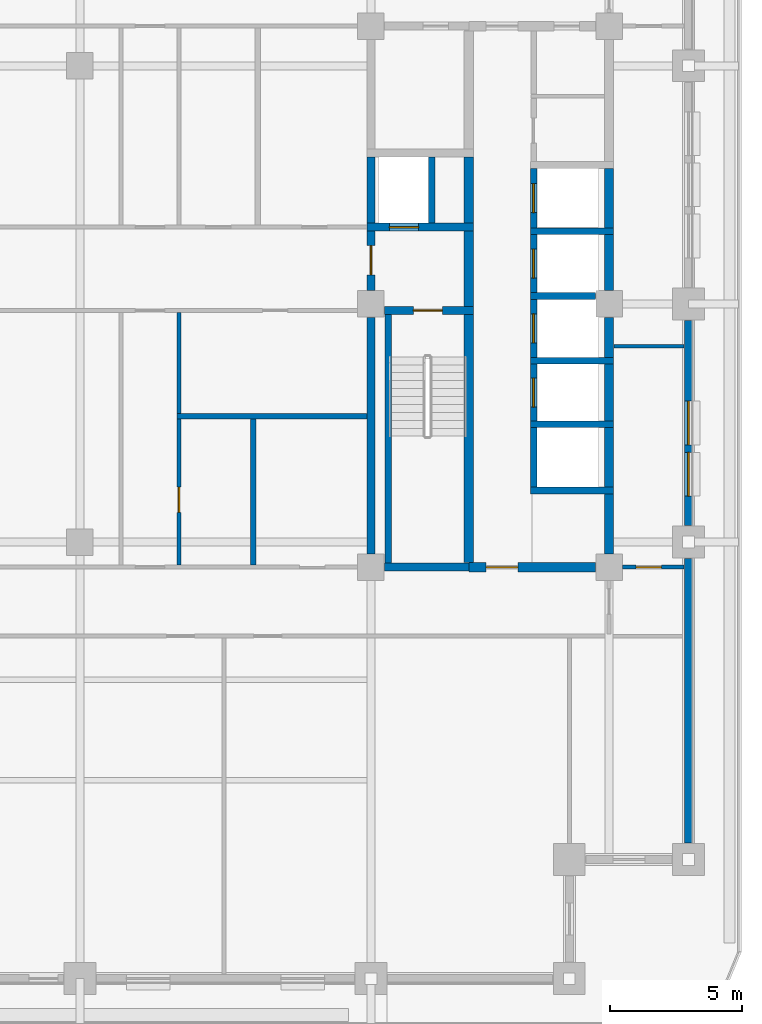
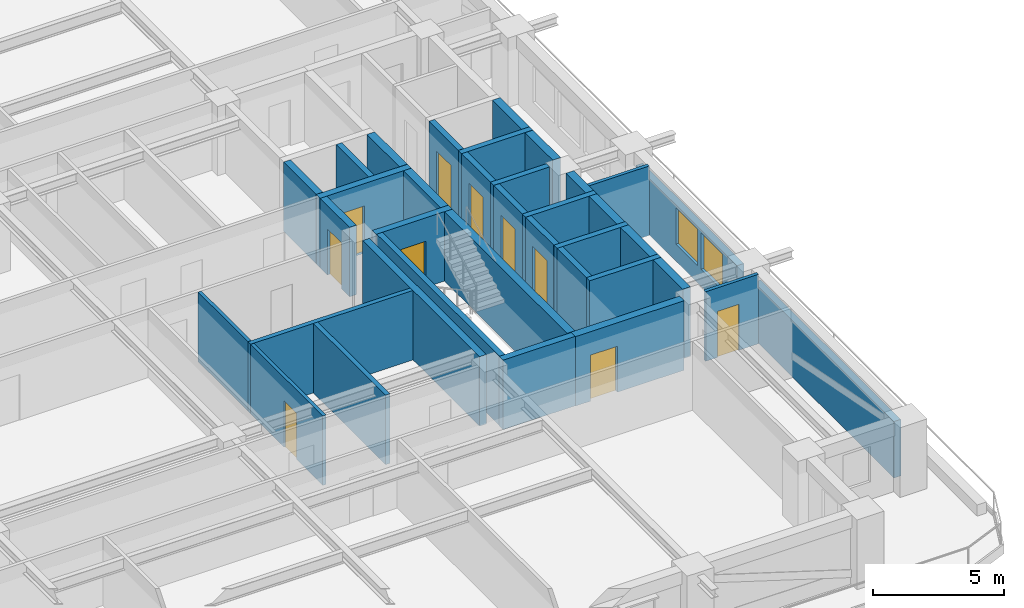
# One storey, part 4 of 15: 36 walls, 10 doors, 2 windows, 12 openings.
"""IFC4 building model written with IfcOpenShell, lengths in metres."""

from ifc_helpers import new_model, si_unit, direction, frame, frame_2d, origin, place, context, subcontext, project, spatial, rectangle, extrude, material, layer, layer_set, type_object, element, fill, save


model = new_model("IFC4")

# Units and contexts
model_context = context("Model", 3, precision=1e-05, world=origin(), true_north=direction((0.0, 1.0)))
body_context = subcontext(model_context, "Body", "Model", "MODEL_VIEW")
ifc_project = project(units=[si_unit("LENGTHUNIT", "METRE"), si_unit("AREAUNIT", "SQUARE_METRE"), si_unit("VOLUMEUNIT", "CUBIC_METRE"), si_unit("PLANEANGLEUNIT", "RADIAN"), si_unit("MASSUNIT", "GRAM", prefix="KILO")], contexts=[model_context])

# Site, building, storey
site_placement = place(None, origin())
site = spatial("IfcSite", under=ifc_project, at=site_placement, CompositionType="ELEMENT")
building_placement = place(site_placement, origin())
building = spatial("IfcBuilding", under=site, at=building_placement, Name="Zulmaris Gate Convention Tower", CompositionType="ELEMENT")
storey_placement = place(building_placement, frame((0.0, 0.0, 139.199951171875)))
storey = spatial("IfcBuildingStorey", under=building, at=storey_placement, Name="L35", CompositionType="ELEMENT", Elevation=139.199951171875)

# Walls
ifc_material_1 = material(Name="Concrete C50/60", Category="concrete")
ifc_layer_1 = layer(ifc_material_1, 0.25, Name="Concrete C50/60")
ifc_layer_set_1 = layer_set([ifc_layer_1], Name="Concrete C50/60")
wall_type_1 = type_object("IfcWallType", Name="CORE-250", PredefinedType="SOLIDWALL", material=ifc_layer_set_1)
for number, where, z_axis, x_axis, name in (
    (1, (17.02490234375, -7.050048828125, 0.0), (0.0, 0.0, 1.0), (1.0, 0.0, 0.0), "WL-L35-005"),
    (2, (17.02490234375, -4.550048828125, 0.0), (0.0, 0.0, 1.0), (1.0, 0.0, 0.0), "WL-L35-006"),
    (3, (17.02490234375, -2.14990234375, 0.0), (0.0, 0.0, 1.0), (1.0, 0.0, 0.0), "WL-L35-007"),
):
    element("IfcWall", number, at=place(storey_placement, frame(where, z_axis=z_axis, x_axis=x_axis)), inside=storey, type_object=wall_type_1, Name=name, PredefinedType="SOLIDWALL", context=body_context, shape_type="SweptSolid", body=[
        extrude(rectangle(XDim=3.150146484375, YDim=0.25, at=frame_2d((1.5751953125, 0.0))), origin(), (0.0, 0.0, 1.0), 3.244873046875),
    ])
wall_1_placement = place(storey_placement, frame((17.02490234375, 0.300048828125, 0.0), z_axis=(0.0, 0.0, 1.0), x_axis=(1.0, 0.0, 0.0)))
element("IfcWall", 4, at=wall_1_placement, inside=storey, type_object=wall_type_1, Name="WL-L35-010", PredefinedType="SOLIDWALL", context=body_context, shape_type="SweptSolid", body=[
    extrude(rectangle(XDim=2.47119140625, YDim=0.25, at=frame_2d((1.235595703125, 0.0))), origin(), (0.0, 0.0, 1.0), 3.244873046875),
])
wall_2_placement = place(storey_placement, frame((17.02490234375, 2.75, 0.0), z_axis=(0.0, 0.0, 1.0), x_axis=(1.0, 0.0, 0.0)))
element("IfcWall", 5, at=wall_2_placement, inside=storey, type_object=wall_type_1, Name="WL-L35-011", PredefinedType="SOLIDWALL", context=body_context, shape_type="SweptSolid", body=[
    extrude(rectangle(XDim=3.150146484375, YDim=0.25, at=frame_2d((1.5751953125, 0.0))), origin(), (0.0, 0.0, 1.0), 3.244873046875),
])
wall_3_placement = place(storey_placement, frame((11.64990234375, -9.798095703125, 0.0), z_axis=(0.0, 0.0, 1.0), x_axis=(0.0, 1.0, 0.0)))
element("IfcWall", 6, at=wall_3_placement, inside=storey, type_object=wall_type_1, Name="WL-L35-051", PredefinedType="SOLIDWALL", context=body_context, shape_type="SweptSolid", body=[
    extrude(rectangle(XDim=9.39599609375, YDim=0.25, at=frame_2d((4.697998046875, 0.0))), origin(), (0.0, 0.0, 1.0), 3.244873046875),
])
wall_4_placement = place(storey_placement, frame((13.300048828125, 3.052001953125, 0.0), z_axis=(0.0, 0.0, 1.0), x_axis=(0.0, 1.0, 0.0)))
element("IfcWall", 7, at=wall_4_placement, inside=storey, type_object=wall_type_1, Name="WL-L35-052", PredefinedType="SOLIDWALL", context=body_context, shape_type="SweptSolid", body=[
    extrude(rectangle(XDim=2.49609375, YDim=0.25, at=frame_2d((1.248046875, 0.0))), origin(), (0.0, 0.0, 1.0), 3.244873046875),
])
wall_5_placement = place(storey_placement, frame((17.14990234375, -6.923095703125, 0.0), z_axis=(0.0, 0.0, 1.0), x_axis=(0.0, 1.0, 0.0)))
element("IfcWall", 8, at=wall_5_placement, inside=storey, type_object=wall_type_1, Name="WL-L35-057", PredefinedType="SOLIDWALL", context=body_context, shape_type="SweptSolid", body=[
    extrude(rectangle(XDim=2.24609375, YDim=0.25, at=frame_2d((1.123046875, 0.0))), origin(), (0.0, 0.0, 1.0), 3.244873046875),
])

# Wall, opening, door
wall_6_placement = place(storey_placement, frame((17.14990234375, -4.423095703125, 0.0), z_axis=(0.0, 0.0, 1.0), x_axis=(0.0, 1.0, 0.0)))
wall_6 = element("IfcWall", 9, at=wall_6_placement, inside=storey, type_object=wall_type_1, Name="WL-L35-058", PredefinedType="SOLIDWALL", context=body_context, shape_type="SweptSolid", body=[
    extrude(rectangle(XDim=2.14599609375, YDim=0.25, at=frame_2d((1.072998046875, 0.0))), origin(), (0.0, 0.0, 1.0), 3.244873046875),
])
opening_1_placement = place(wall_6_placement, frame((0.52294921875, 0.0, 0.0)))
opening_1 = element("IfcOpeningElement", 10, at=opening_1_placement, cuts=wall_6, Name="Opening D-06", PredefinedType="OPENING", context=body_context, shape_type="SweptSolid", body=[
    extrude(rectangle(XDim=1.10009765625, YDim=2.199951171875, at=frame_2d((0.550048828125, 1.10009765625))), frame((0.0, 0.135009765625, 0.0), z_axis=(0.0, -1.0, 0.0), x_axis=(1.0, 0.0, 0.0)), (0.0, 0.0, 1.0), 0.27001953125),
])
ifc_material_2 = material(Name="Brushed Stainless Steel", Category="steel")
door_type_1 = type_object("IfcDoorType", Name="LD-1100", OperationType="NOTDEFINED", PredefinedType="DOOR", material=ifc_material_2)
door_1_placement = place(opening_1_placement, origin())
door_1 = element("IfcDoor", 11, at=door_1_placement, inside=storey, type_object=door_type_1, Name="L35 Lift Landing Door MP-01 13", OperationType="SLIDING_TO_RIGHT", OverallHeight=2.199951171875, OverallWidth=1.10009765625, PredefinedType="DOOR", context=body_context, shape_type="SweptSolid", body=[
    extrude(rectangle(XDim=1.10009765625, YDim=2.199951171875, at=frame_2d((0.550048828125, 1.10009765625))), frame((0.0, 0.02490234375, 0.0), z_axis=(0.0, -1.0, 0.0), x_axis=(1.0, 0.0, 0.0)), (0.0, 0.0, 1.0), 0.050048828125),
])
fill(opening_1, door_1)

wall_7_placement = place(storey_placement, frame((17.14990234375, -2.02294921875, 0.0), z_axis=(0.0, 0.0, 1.0), x_axis=(0.0, 1.0, 0.0)))
wall_7 = element("IfcWall", 12, at=wall_7_placement, inside=storey, type_object=wall_type_1, Name="WL-L35-059", PredefinedType="SOLIDWALL", context=body_context, shape_type="SweptSolid", body=[
    extrude(rectangle(XDim=2.196044921875, YDim=0.25, at=frame_2d((1.09814453125, 0.0))), origin(), (0.0, 0.0, 1.0), 3.244873046875),
])
opening_2_placement = place(wall_7_placement, frame((0.548095703125, 0.0, 0.0)))
opening_2 = element("IfcOpeningElement", 13, at=opening_2_placement, cuts=wall_7, Name="Opening D-06", PredefinedType="OPENING", context=body_context, shape_type="SweptSolid", body=[
    extrude(rectangle(XDim=1.10009765625, YDim=2.199951171875, at=frame_2d((0.550048828125, 1.10009765625))), frame((0.0, 0.135009765625, 0.0), z_axis=(0.0, -1.0, 0.0), x_axis=(1.0, 0.0, 0.0)), (0.0, 0.0, 1.0), 0.27001953125),
])
door_2_placement = place(opening_2_placement, origin())
door_2 = element("IfcDoor", 14, at=door_2_placement, inside=storey, type_object=door_type_1, Name="L35 Lift Landing Door MP-02 14", OperationType="SLIDING_TO_RIGHT", OverallHeight=2.199951171875, OverallWidth=1.10009765625, PredefinedType="DOOR", context=body_context, shape_type="SweptSolid", body=[
    extrude(rectangle(XDim=1.10009765625, YDim=2.199951171875, at=frame_2d((0.550048828125, 1.10009765625))), frame((0.0, 0.02490234375, 0.0), z_axis=(0.0, -1.0, 0.0), x_axis=(1.0, 0.0, 0.0)), (0.0, 0.0, 1.0), 0.050048828125),
])
fill(opening_2, door_2)

wall_8_placement = place(storey_placement, frame((17.14990234375, 0.427001953125, 0.0), z_axis=(0.0, 0.0, 1.0), x_axis=(0.0, 1.0, 0.0)))
wall_8 = element("IfcWall", 15, at=wall_8_placement, inside=storey, type_object=wall_type_1, Name="WL-L35-060", PredefinedType="SOLIDWALL", context=body_context, shape_type="SweptSolid", body=[
    extrude(rectangle(XDim=2.196044921875, YDim=0.25, at=frame_2d((1.09814453125, 0.0))), origin(), (0.0, 0.0, 1.0), 3.244873046875),
])
opening_3_placement = place(wall_8_placement, frame((0.548095703125, 0.0, 0.0)))
opening_3 = element("IfcOpeningElement", 16, at=opening_3_placement, cuts=wall_8, Name="Opening D-06", PredefinedType="OPENING", context=body_context, shape_type="SweptSolid", body=[
    extrude(rectangle(XDim=1.10009765625, YDim=2.199951171875, at=frame_2d((0.550048828125, 1.10009765625))), frame((0.0, 0.135009765625, 0.0), z_axis=(0.0, -1.0, 0.0), x_axis=(1.0, 0.0, 0.0)), (0.0, 0.0, 1.0), 0.27001953125),
])
door_3_placement = place(opening_3_placement, origin())
door_3 = element("IfcDoor", 17, at=door_3_placement, inside=storey, type_object=door_type_1, Name="L35 Lift Landing Door MP-03 15", OperationType="SLIDING_TO_RIGHT", OverallHeight=2.199951171875, OverallWidth=1.10009765625, PredefinedType="DOOR", context=body_context, shape_type="SweptSolid", body=[
    extrude(rectangle(XDim=1.10009765625, YDim=2.199951171875, at=frame_2d((0.550048828125, 1.10009765625))), frame((0.0, 0.02490234375, 0.0), z_axis=(0.0, -1.0, 0.0), x_axis=(1.0, 0.0, 0.0)), (0.0, 0.0, 1.0), 0.050048828125),
])
fill(opening_3, door_3)

wall_9_placement = place(storey_placement, frame((17.14990234375, 2.876953125, 0.0), z_axis=(0.0, 0.0, 1.0), x_axis=(0.0, 1.0, 0.0)))
wall_9 = element("IfcWall", 18, at=wall_9_placement, inside=storey, type_object=wall_type_1, Name="WL-L35-061", PredefinedType="SOLIDWALL", context=body_context, shape_type="SweptSolid", body=[
    extrude(rectangle(XDim=2.24609375, YDim=0.25, at=frame_2d((1.123046875, 0.0))), origin(), (0.0, 0.0, 1.0), 3.244873046875),
])
opening_4_placement = place(wall_9_placement, frame((0.572998046875, 0.0, 0.0)))
opening_4 = element("IfcOpeningElement", 19, at=opening_4_placement, cuts=wall_9, Name="Opening D-06", PredefinedType="OPENING", context=body_context, shape_type="SweptSolid", body=[
    extrude(rectangle(XDim=1.10009765625, YDim=2.199951171875, at=frame_2d((0.550048828125, 1.10009765625))), frame((0.0, 0.135009765625, 0.0), z_axis=(0.0, -1.0, 0.0), x_axis=(1.0, 0.0, 0.0)), (0.0, 0.0, 1.0), 0.27001953125),
])
door_4_placement = place(opening_4_placement, origin())
door_4 = element("IfcDoor", 20, at=door_4_placement, inside=storey, type_object=door_type_1, Name="L35 Lift Landing Door MP-04 16", OperationType="SLIDING_TO_RIGHT", OverallHeight=2.199951171875, OverallWidth=1.10009765625, PredefinedType="DOOR", context=body_context, shape_type="SweptSolid", body=[
    extrude(rectangle(XDim=1.10009765625, YDim=2.199951171875, at=frame_2d((0.550048828125, 1.10009765625))), frame((0.0, 0.02490234375, 0.0), z_axis=(0.0, -1.0, 0.0), x_axis=(1.0, 0.0, 0.0)), (0.0, 0.0, 1.0), 0.050048828125),
])
fill(opening_4, door_4)

# Wall
ifc_layer_2 = layer(ifc_material_1, 0.300048828125, Name="Concrete C50/60")
ifc_layer_set_2 = layer_set([ifc_layer_2], Name="Concrete C50/60")
wall_type_2 = type_object("IfcWallType", Name="CORE-300", PredefinedType="SHEAR", material=ifc_layer_set_2)
wall_10_placement = place(storey_placement, frame((11.50390625, -9.949951171875, 0.0), z_axis=(0.0, 0.0, 1.0), x_axis=(1.0, 0.0, 0.0)))
element("IfcWall", 21, at=wall_10_placement, inside=storey, type_object=wall_type_2, Name="WL-L35-003", PredefinedType="SHEAR", context=body_context, shape_type="SweptSolid", body=[
    extrude(rectangle(XDim=3.196044921875, YDim=0.300048828125, at=frame_2d((1.59814453125, 0.0))), origin(), (0.0, 0.0, 1.0), 3.244873046875),
])

# Wall, opening, door
wall_11_placement = place(storey_placement, frame((11.50390625, -0.25, 0.0), z_axis=(0.0, 0.0, 1.0), x_axis=(1.0, 0.0, 0.0)))
wall_11 = element("IfcWall", 22, at=wall_11_placement, inside=storey, type_object=wall_type_2, Name="WL-L35-009", PredefinedType="SHEAR", context=body_context, shape_type="SweptSolid", body=[
    extrude(rectangle(XDim=3.37109375, YDim=0.300048828125, at=frame_2d((1.685546875, 0.0))), origin(), (0.0, 0.0, 1.0), 3.244873046875),
])
opening_5_placement = place(wall_11_placement, frame((1.095947265625, 0.0, 0.0)))
opening_5 = element("IfcOpeningElement", 23, at=opening_5_placement, cuts=wall_11, Name="Opening D-08", PredefinedType="OPENING", context=body_context, shape_type="SweptSolid", body=[
    extrude(rectangle(XDim=1.10009765625, YDim=2.14990234375, at=frame_2d((0.550048828125, 1.074951171875))), frame((0.0, 0.16015625, 0.0), z_axis=(0.0, -1.0, 0.0), x_axis=(1.0, 0.0, 0.0)), (0.0, 0.0, 1.0), 0.320068359375),
])
ifc_material_3 = material(Name="Fire-Rated Steel", Category="steel")
door_type_2 = type_object("IfcDoorType", Name="DR-1100-FD", OperationType="NOTDEFINED", PredefinedType="DOOR", material=ifc_material_3)
door_5_placement = place(opening_5_placement, origin())
door_5 = element("IfcDoor", 24, at=door_5_placement, inside=storey, type_object=door_type_2, Name="L35 Exit Stair ST-2 Door 04", OperationType="SINGLE_SWING_LEFT", OverallHeight=2.14990234375, OverallWidth=1.10009765625, PredefinedType="DOOR", context=body_context, shape_type="SweptSolid", body=[
    extrude(rectangle(XDim=1.10009765625, YDim=2.14990234375, at=frame_2d((0.550048828125, 1.074951171875))), frame((0.0, 0.02490234375, 0.0), z_axis=(0.0, -1.0, 0.0), x_axis=(1.0, 0.0, 0.0)), (0.0, 0.0, 1.0), 0.050048828125),
])
fill(opening_5, door_5)

wall_12_placement = place(storey_placement, frame((10.85009765625, 2.89990234375, 0.0), z_axis=(0.0, 0.0, 1.0), x_axis=(1.0, 0.0, 0.0)))
wall_12 = element("IfcWall", 25, at=wall_12_placement, inside=storey, type_object=wall_type_2, Name="WL-L35-013", PredefinedType="SHEAR", context=body_context, shape_type="SweptSolid", body=[
    extrude(rectangle(XDim=4.02490234375, YDim=0.300048828125, at=frame_2d((2.012451171875, 0.0))), origin(), (0.0, 0.0, 1.0), 3.244873046875),
])
opening_6_placement = place(wall_12_placement, frame((0.85009765625, 0.0, 0.0)))
opening_6 = element("IfcOpeningElement", 26, at=opening_6_placement, cuts=wall_12, Name="Opening D-06", PredefinedType="OPENING", context=body_context, shape_type="SweptSolid", body=[
    extrude(rectangle(XDim=1.10009765625, YDim=2.199951171875, at=frame_2d((0.550048828125, 1.10009765625))), frame((0.0, 0.16015625, 0.0), z_axis=(0.0, -1.0, 0.0), x_axis=(1.0, 0.0, 0.0)), (0.0, 0.0, 1.0), 0.320068359375),
])
door_6_placement = place(opening_6_placement, origin())
door_6 = element("IfcDoor", 27, at=door_6_placement, inside=storey, type_object=door_type_1, Name="L35 Lift Landing Door LF-02 06", OperationType="SLIDING_TO_RIGHT", OverallHeight=2.199951171875, OverallWidth=1.10009765625, PredefinedType="DOOR", context=body_context, shape_type="SweptSolid", body=[
    extrude(rectangle(XDim=1.10009765625, YDim=2.199951171875, at=frame_2d((0.550048828125, 1.10009765625))), frame((0.0, 0.02490234375, 0.0), z_axis=(0.0, -1.0, 0.0), x_axis=(1.0, 0.0, 0.0)), (0.0, 0.0, 1.0), 0.050048828125),
])
fill(opening_6, door_6)

# Wall
wall_13_placement = place(storey_placement, frame((11.0, -9.446044921875, 0.0), z_axis=(0.0, 0.0, 1.0), x_axis=(0.0, 1.0, 0.0)))
element("IfcWall", 28, at=wall_13_placement, inside=storey, type_object=wall_type_2, Name="WL-L35-047", PredefinedType="SHEAR", context=body_context, shape_type="SweptSolid", body=[
    extrude(rectangle(XDim=8.942138671875, YDim=0.300048828125, at=frame_2d((4.47119140625, 0.0))), origin(), (0.0, 0.0, 1.0), 3.244873046875),
])

# Wall, opening, door
wall_14_placement = place(storey_placement, frame((11.0, 0.50390625, 0.0), z_axis=(0.0, 0.0, 1.0), x_axis=(0.0, 1.0, 0.0)))
wall_14 = element("IfcWall", 29, at=wall_14_placement, inside=storey, type_object=wall_type_2, Name="WL-L35-048", PredefinedType="SHEAR", context=body_context, shape_type="SweptSolid", body=[
    extrude(rectangle(XDim=2.244140625, YDim=0.300048828125, at=frame_2d((1.1220703125, 0.0))), origin(), (0.0, 0.0, 1.0), 3.244873046875),
])
opening_7_placement = place(wall_14_placement, frame((0.595947265625, 0.0, 0.0)))
opening_7 = element("IfcOpeningElement", 30, at=opening_7_placement, cuts=wall_14, Name="Opening D-08", PredefinedType="OPENING", context=body_context, shape_type="SweptSolid", body=[
    extrude(rectangle(XDim=1.10009765625, YDim=2.14990234375, at=frame_2d((0.550048828125, 1.074951171875))), frame((0.0, 0.16015625, 0.0), z_axis=(0.0, -1.0, 0.0), x_axis=(1.0, 0.0, 0.0)), (0.0, 0.0, 1.0), 0.320068359375),
])
door_7_placement = place(opening_7_placement, origin())
door_7 = element("IfcDoor", 31, at=door_7_placement, inside=storey, type_object=door_type_2, Name="L35 East Firefighting Lobby Door 05", OperationType="SINGLE_SWING_RIGHT", OverallHeight=2.14990234375, OverallWidth=1.10009765625, PredefinedType="DOOR", context=body_context, shape_type="SweptSolid", body=[
    extrude(rectangle(XDim=1.10009765625, YDim=2.14990234375, at=frame_2d((0.550048828125, 1.074951171875))), frame((0.0, 0.02490234375, 0.0), z_axis=(0.0, -1.0, 0.0), x_axis=(1.0, 0.0, 0.0)), (0.0, 0.0, 1.0), 0.050048828125),
])
fill(opening_7, door_7)

# Wall
wall_15_placement = place(storey_placement, frame((11.0, 3.052001953125, 0.0), z_axis=(0.0, 0.0, 1.0), x_axis=(0.0, 1.0, 0.0)))
element("IfcWall", 32, at=wall_15_placement, inside=storey, type_object=wall_type_2, Name="WL-L35-049", PredefinedType="SHEAR", context=body_context, shape_type="SweptSolid", body=[
    extrude(rectangle(XDim=2.49609375, YDim=0.300048828125, at=frame_2d((1.248046875, 0.0))), origin(), (0.0, 0.0, 1.0), 3.244873046875),
])

# Wall, opening, door
ifc_material_4 = material(Name="Concrete C55/67", Category="concrete")
ifc_layer_3 = layer(ifc_material_4, 0.35009765625, Name="Concrete C55/67")
ifc_layer_set_3 = layer_set([ifc_layer_3], Name="Concrete C55/67")
wall_type_3 = type_object("IfcWallType", Name="CORE-350", PredefinedType="SHEAR", material=ifc_layer_set_3)
wall_16_placement = place(storey_placement, frame((14.699951171875, -9.949951171875, 0.0), z_axis=(0.0, 0.0, 1.0), x_axis=(1.0, 0.0, 0.0)))
wall_16 = element("IfcWall", 33, at=wall_16_placement, inside=storey, type_object=wall_type_3, Name="WL-L35-004", PredefinedType="SHEAR", context=body_context, shape_type="SweptSolid", body=[
    extrude(rectangle(XDim=4.796142578125, YDim=0.35009765625, at=frame_2d((2.39794921875, 0.0))), origin(), (0.0, 0.0, 1.0), 3.244873046875),
])
opening_8_placement = place(wall_16_placement, frame((0.64990234375, 0.0, 0.0)))
opening_8 = element("IfcOpeningElement", 34, at=opening_8_placement, cuts=wall_16, Name="Opening D-13", PredefinedType="OPENING", context=body_context, shape_type="SweptSolid", body=[
    extrude(rectangle(XDim=1.199951171875, YDim=2.14990234375, at=frame_2d((0.60009765625, 1.074951171875))), frame((0.0, 0.18505859375, 0.0), z_axis=(0.0, -1.0, 0.0), x_axis=(1.0, 0.0, 0.0)), (0.0, 0.0, 1.0), 0.3701171875),
])
door_type_3 = type_object("IfcDoorType", Name="DR-1200-FD", OperationType="NOTDEFINED", PredefinedType="DOOR", material=ifc_material_3)
door_8_placement = place(opening_8_placement, origin())
door_8 = element("IfcDoor", 35, at=door_8_placement, inside=storey, type_object=door_type_3, Name="L35 East Lift Lobby South Door 17", OperationType="SINGLE_SWING_LEFT", OverallHeight=2.14990234375, OverallWidth=1.199951171875, PredefinedType="DOOR", context=body_context, shape_type="SweptSolid", body=[
    extrude(rectangle(XDim=1.199951171875, YDim=2.14990234375, at=frame_2d((0.60009765625, 1.074951171875))), frame((0.0, 0.02490234375, 0.0), z_axis=(0.0, -1.0, 0.0), x_axis=(1.0, 0.0, 0.0)), (0.0, 0.0, 1.0), 0.050048828125),
])
fill(opening_8, door_8)

# Walls
wall_17_placement = place(storey_placement, frame((14.699951171875, -9.77294921875, 0.0), z_axis=(0.0, 0.0, 1.0), x_axis=(0.0, 1.0, 0.0)))
element("IfcWall", 36, at=wall_17_placement, inside=storey, type_object=wall_type_3, Name="WL-L35-053", PredefinedType="SHEAR", context=body_context, shape_type="SweptSolid", body=[
    extrude(rectangle(XDim=9.370849609375, YDim=0.35009765625, at=frame_2d((4.685546875, 0.0))), origin(), (0.0, 0.0, 1.0), 3.244873046875),
])
wall_18_placement = place(storey_placement, frame((14.699951171875, -0.097900390625, 0.0), z_axis=(0.0, 0.0, 1.0), x_axis=(0.0, 1.0, 0.0)))
element("IfcWall", 37, at=wall_18_placement, inside=storey, type_object=wall_type_3, Name="WL-L35-054", PredefinedType="SHEAR", context=body_context, shape_type="SweptSolid", body=[
    extrude(rectangle(XDim=2.845947265625, YDim=0.35009765625, at=frame_2d((1.4228515625, 0.0))), origin(), (0.0, 0.0, 1.0), 3.244873046875),
])
wall_19_placement = place(storey_placement, frame((14.699951171875, 3.052001953125, 0.0), z_axis=(0.0, 0.0, 1.0), x_axis=(0.0, 1.0, 0.0)))
element("IfcWall", 38, at=wall_19_placement, inside=storey, type_object=wall_type_3, Name="WL-L35-055", PredefinedType="SHEAR", context=body_context, shape_type="SweptSolid", body=[
    extrude(rectangle(XDim=2.49609375, YDim=0.35009765625, at=frame_2d((1.248046875, 0.0))), origin(), (0.0, 0.0, 1.0), 3.244873046875),
])
wall_20_placement = place(storey_placement, frame((20.0, -9.446044921875, 0.0), z_axis=(0.0, 0.0, 1.0), x_axis=(0.0, 1.0, 0.0)))
element("IfcWall", 39, at=wall_20_placement, inside=storey, type_object=wall_type_3, Name="WL-L35-062", PredefinedType="SHEAR", context=body_context, shape_type="SweptSolid", body=[
    extrude(rectangle(XDim=2.26904296875, YDim=0.35009765625, at=frame_2d((1.134521484375, 0.0))), origin(), (0.0, 0.0, 1.0), 3.244873046875),
])
wall_21_placement = place(storey_placement, frame((20.0, -6.923095703125, 0.0), z_axis=(0.0, 0.0, 1.0), x_axis=(0.0, 1.0, 0.0)))
element("IfcWall", 40, at=wall_21_placement, inside=storey, type_object=wall_type_3, Name="WL-L35-063", PredefinedType="SHEAR", context=body_context, shape_type="SweptSolid", body=[
    extrude(rectangle(XDim=2.24609375, YDim=0.35009765625, at=frame_2d((1.123046875, 0.0))), origin(), (0.0, 0.0, 1.0), 3.244873046875),
])
wall_22_placement = place(storey_placement, frame((20.0, -4.423095703125, 0.0), z_axis=(0.0, 0.0, 1.0), x_axis=(0.0, 1.0, 0.0)))
element("IfcWall", 41, at=wall_22_placement, inside=storey, type_object=wall_type_3, Name="WL-L35-064", PredefinedType="SHEAR", context=body_context, shape_type="SweptSolid", body=[
    extrude(rectangle(XDim=2.14599609375, YDim=0.35009765625, at=frame_2d((1.072998046875, 0.0))), origin(), (0.0, 0.0, 1.0), 3.244873046875),
])
wall_23_placement = place(storey_placement, frame((20.0, -2.02294921875, 0.0), z_axis=(0.0, 0.0, 1.0), x_axis=(0.0, 1.0, 0.0)))
element("IfcWall", 42, at=wall_23_placement, inside=storey, type_object=wall_type_3, Name="WL-L35-065", PredefinedType="SHEAR", context=body_context, shape_type="SweptSolid", body=[
    extrude(rectangle(XDim=1.51904296875, YDim=0.35009765625, at=frame_2d((0.759521484375, 0.0))), origin(), (0.0, 0.0, 1.0), 3.244873046875),
])
wall_24_placement = place(storey_placement, frame((20.0, 0.50390625, 0.0), z_axis=(0.0, 0.0, 1.0), x_axis=(0.0, 1.0, 0.0)))
element("IfcWall", 43, at=wall_24_placement, inside=storey, type_object=wall_type_3, Name="WL-L35-066", PredefinedType="SHEAR", context=body_context, shape_type="SweptSolid", body=[
    extrude(rectangle(XDim=2.119140625, YDim=0.35009765625, at=frame_2d((1.0595703125, 0.0))), origin(), (0.0, 0.0, 1.0), 3.244873046875),
])
wall_25_placement = place(storey_placement, frame((20.0, 2.876953125, 0.0), z_axis=(0.0, 0.0, 1.0), x_axis=(0.0, 1.0, 0.0)))
element("IfcWall", 44, at=wall_25_placement, inside=storey, type_object=wall_type_3, Name="WL-L35-067", PredefinedType="SHEAR", context=body_context, shape_type="SweptSolid", body=[
    extrude(rectangle(XDim=2.24609375, YDim=0.35009765625, at=frame_2d((1.123046875, 0.0))), origin(), (0.0, 0.0, 1.0), 3.244873046875),
])

# Wall, opening, door
ifc_material_5 = material(Name="Gypsum Metal Stud Partition")
ifc_layer_4 = layer(ifc_material_5, 0.14990234375, Name="Gypsum Metal Stud Partition")
ifc_layer_set_4 = layer_set([ifc_layer_4], Name="Gypsum Metal Stud Partition")
wall_type_4 = type_object("IfcWallType", Name="PART-150", PredefinedType="PARTITIONING", material=ifc_layer_set_4)
wall_26_placement = place(storey_placement, frame((20.506103515625, -9.949951171875, 0.0), z_axis=(0.0, 0.0, 1.0), x_axis=(1.0, 0.0, 0.0)))
wall_26 = element("IfcWall", 45, at=wall_26_placement, inside=storey, type_object=wall_type_4, Name="WL-L35-024", PredefinedType="PARTITIONING", context=body_context, shape_type="SweptSolid", body=[
    extrude(rectangle(XDim=2.328857421875, YDim=0.14990234375, at=frame_2d((1.16455078125, 0.0))), origin(), (0.0, 0.0, 1.0), 3.244873046875),
])
opening_9_placement = place(wall_26_placement, frame((0.51904296875, 0.0, 0.0)))
opening_9 = element("IfcOpeningElement", 46, at=opening_9_placement, cuts=wall_26, Name="Opening D-11", PredefinedType="OPENING", context=body_context, shape_type="SweptSolid", body=[
    extrude(rectangle(XDim=0.949951171875, YDim=2.14990234375, at=frame_2d((0.47509765625, 1.074951171875))), frame((0.0, 0.0849609375, 0.0), z_axis=(0.0, -1.0, 0.0), x_axis=(1.0, 0.0, 0.0)), (0.0, 0.0, 1.0), 0.169921875),
])
ifc_material_6 = material(Name="Fire-Rated Timber", Category="wood")
door_type_4 = type_object("IfcDoorType", Name="DR-950-FD", OperationType="NOTDEFINED", PredefinedType="DOOR", material=ifc_material_6)
door_9_placement = place(opening_9_placement, origin())
door_9 = element("IfcDoor", 47, at=door_9_placement, inside=storey, type_object=door_type_4, Name="L35 SE Partner Door 44", OperationType="SINGLE_SWING_RIGHT", OverallHeight=2.14990234375, OverallWidth=0.949951171875, PredefinedType="DOOR", context=body_context, shape_type="SweptSolid", body=[
    extrude(rectangle(XDim=0.949951171875, YDim=2.14990234375, at=frame_2d((0.47509765625, 1.074951171875))), frame((0.0, 0.02490234375, 0.0), z_axis=(0.0, -1.0, 0.0), x_axis=(1.0, 0.0, 0.0)), (0.0, 0.0, 1.0), 0.050048828125),
])
fill(opening_9, door_9)

# Wall
wall_27_placement = place(storey_placement, frame((20.177978515625, -1.60009765625, 0.0), z_axis=(0.0, 0.0, 1.0), x_axis=(1.0, 0.0, 0.0)))
element("IfcWall", 48, at=wall_27_placement, inside=storey, type_object=wall_type_4, Name="WL-L35-026", PredefinedType="PARTITIONING", context=body_context, shape_type="SweptSolid", body=[
    extrude(rectangle(XDim=2.656982421875, YDim=0.14990234375, at=frame_2d((1.32861328125, 0.0))), origin(), (0.0, 0.0, 1.0), 3.244873046875),
])

# Wall, opening, door
wall_28_placement = place(storey_placement, frame((3.75, -9.8720703125, 0.0), z_axis=(0.0, 0.0, 1.0), x_axis=(0.0, 1.0, 0.0)))
wall_28 = element("IfcWall", 49, at=wall_28_placement, inside=storey, type_object=wall_type_4, Name="WL-L35-079", PredefinedType="PARTITIONING", context=body_context, shape_type="SweptSolid", body=[
    extrude(rectangle(XDim=5.51904296875, YDim=0.14990234375, at=frame_2d((2.759521484375, 0.0))), origin(), (0.0, 0.0, 1.0), 3.244873046875),
])
opening_10_placement = place(wall_28_placement, frame((1.9970703125, 0.0, 0.0)))
opening_10 = element("IfcOpeningElement", 50, at=opening_10_placement, cuts=wall_28, Name="Opening D-11", PredefinedType="OPENING", context=body_context, shape_type="SweptSolid", body=[
    extrude(rectangle(XDim=0.949951171875, YDim=2.14990234375, at=frame_2d((0.47509765625, 1.074951171875))), frame((0.0, 0.0849609375, 0.0), z_axis=(0.0, -1.0, 0.0), x_axis=(1.0, 0.0, 0.0)), (0.0, 0.0, 1.0), 0.169921875),
])
door_10_placement = place(opening_10_placement, origin())
door_10 = element("IfcDoor", 51, at=door_10_placement, inside=storey, type_object=door_type_4, Name="L35 Accessible WC Door 35", OperationType="SINGLE_SWING_LEFT", OverallHeight=2.14990234375, OverallWidth=0.949951171875, PredefinedType="DOOR", context=body_context, shape_type="SweptSolid", body=[
    extrude(rectangle(XDim=0.949951171875, YDim=2.14990234375, at=frame_2d((0.47509765625, 1.074951171875))), frame((0.0, 0.02490234375, 0.0), z_axis=(0.0, -1.0, 0.0), x_axis=(1.0, 0.0, 0.0)), (0.0, 0.0, 1.0), 0.050048828125),
])
fill(opening_10, door_10)

# Walls
wall_29_placement = place(storey_placement, frame((3.75, -4.14697265625, 0.0), z_axis=(0.0, 0.0, 1.0), x_axis=(0.0, 1.0, 0.0)))
element("IfcWall", 52, at=wall_29_placement, inside=storey, type_object=wall_type_4, Name="WL-L35-080", PredefinedType="PARTITIONING", context=body_context, shape_type="SweptSolid", body=[
    extrude(rectangle(XDim=3.819091796875, YDim=0.14990234375, at=frame_2d((1.90966796875, 0.0))), origin(), (0.0, 0.0, 1.0), 3.244873046875),
])
ifc_material_7 = material(Name="Autoclaved Aerated Concrete Block and Plasterboard", Category="concrete")
ifc_layer_5 = layer(ifc_material_7, 0.199951171875, Name="Autoclaved Aerated Concrete Block and Plasterboard")
ifc_layer_set_5 = layer_set([ifc_layer_5], Name="Autoclaved Aerated Concrete Block and Plasterboard")
wall_type_5 = type_object("IfcWallType", Name="PART-200", PredefinedType="PARTITIONING", material=ifc_layer_set_5)
wall_30_placement = place(storey_placement, frame((3.675048828125, -4.25, 0.0), z_axis=(0.0, 0.0, 1.0), x_axis=(1.0, 0.0, 0.0)))
element("IfcWall", 53, at=wall_30_placement, inside=storey, type_object=wall_type_5, Name="WL-L35-025", PredefinedType="PARTITIONING", context=body_context, shape_type="SweptSolid", body=[
    extrude(rectangle(XDim=7.171875, YDim=0.199951171875, at=frame_2d((3.5859375, 0.0))), origin(), (0.0, 0.0, 1.0), 3.244873046875),
])
wall_31_placement = place(storey_placement, frame((6.550048828125, -9.8720703125, 0.0), z_axis=(0.0, 0.0, 1.0), x_axis=(0.0, 1.0, 0.0)))
element("IfcWall", 54, at=wall_31_placement, inside=storey, type_object=wall_type_5, Name="WL-L35-083", PredefinedType="PARTITIONING", context=body_context, shape_type="SweptSolid", body=[
    extrude(rectangle(XDim=5.51904296875, YDim=0.199951171875, at=frame_2d((2.759521484375, 0.0))), origin(), (0.0, 0.0, 1.0), 3.244873046875),
])
ifc_material_8 = material(Name="Precast concrete C40/50", Category="concrete")
ifc_layer_6 = layer(ifc_material_8, 0.300048828125, Name="Precast concrete C40/50")
ifc_layer_set_6 = layer_set([ifc_layer_6], Name="Precast concrete C40/50")
wall_type_6 = type_object("IfcWallType", Name="PRECAST-PIER-300", PredefinedType="STANDARD", material=ifc_layer_set_6)
wall_32_placement = place(storey_placement, frame((23.0, -20.3701171875, 0.0), z_axis=(0.0, 0.0, 1.0), x_axis=(0.0, 1.0, 0.0)))
element("IfcWall", 55, at=wall_32_placement, inside=storey, type_object=wall_type_6, Name="EW-L35-E-0_0", PredefinedType="STANDARD", context=body_context, shape_type="SweptSolid", body=[
    extrude(rectangle(XDim=10.740234375, YDim=0.300048828125, at=frame_2d((5.3701171875, 0.0))), origin(), (0.0, 0.0, 1.0), 2.636962890625),
])

# Wall, openings, windows
wall_33_placement = place(storey_placement, frame((23.0, -8.3701171875, 0.0), z_axis=(0.0, 0.0, 1.0), x_axis=(0.0, 1.0, 0.0)))
wall_33 = element("IfcWall", 56, at=wall_33_placement, inside=storey, type_object=wall_type_6, Name="EW-L35-E-1_0", PredefinedType="STANDARD", context=body_context, shape_type="SweptSolid", body=[
    extrude(rectangle(XDim=7.740234375, YDim=0.300048828125, at=frame_2d((3.8701171875, 0.0))), origin(), (0.0, 0.0, 1.0), 2.636962890625),
])
opening_11_placement = place(wall_33_placement, frame((1.110107421875, 0.0, 0.800048828125)))
opening_11 = element("IfcOpeningElement", 57, at=opening_11_placement, cuts=wall_33, Name="Opening W-08", PredefinedType="OPENING", context=body_context, shape_type="SweptSolid", body=[
    extrude(rectangle(XDim=1.64990234375, YDim=1.699951171875, at=frame_2d((0.824951171875, 0.85009765625))), frame((0.0, 0.16015625, 0.0), z_axis=(0.0, -1.0, 0.0), x_axis=(1.0, 0.0, 0.0)), (0.0, 0.0, 1.0), 0.320068359375),
])
opening_12_placement = place(wall_33_placement, frame((3.044921875, 0.0, 0.800048828125)))
opening_12 = element("IfcOpeningElement", 58, at=opening_12_placement, cuts=wall_33, Name="Opening W-08", PredefinedType="OPENING", context=body_context, shape_type="SweptSolid", body=[
    extrude(rectangle(XDim=1.64990234375, YDim=1.699951171875, at=frame_2d((0.824951171875, 0.85009765625))), frame((0.0, 0.16015625, 0.0), z_axis=(0.0, -1.0, 0.0), x_axis=(1.0, 0.0, 0.0)), (0.0, 0.0, 1.0), 0.320068359375),
])
ifc_material_9 = material(Name="Low-E Laminated Double Glazing in Aluminium Frame", Category="aluminium")
window_type = type_object("IfcWindowType", Name="WIN-1650x2150", PartitioningType="SINGLE_PANEL", PredefinedType="WINDOW", material=ifc_material_9)
window_1_placement = place(opening_11_placement, origin())
window_1 = element("IfcWindow", 59, at=window_1_placement, inside=storey, type_object=window_type, Name="WN-EW-L35-E-1_0-1", OverallHeight=1.699951171875, OverallWidth=1.64990234375, PartitioningType="SINGLE_PANEL", PredefinedType="WINDOW", context=body_context, shape_type="SweptSolid", body=[
    extrude(rectangle(XDim=1.64990234375, YDim=1.699951171875, at=frame_2d((0.824951171875, 0.85009765625))), frame((0.0, 0.030029296875, 0.0), z_axis=(0.0, -1.0, 0.0), x_axis=(1.0, 0.0, 0.0)), (0.0, 0.0, 1.0), 0.06005859375),
])
fill(opening_11, window_1)
window_2_placement = place(opening_12_placement, origin())
window_2 = element("IfcWindow", 60, at=window_2_placement, inside=storey, type_object=window_type, Name="WN-EW-L35-E-1_0-2", OverallHeight=1.699951171875, OverallWidth=1.64990234375, PartitioningType="SINGLE_PANEL", PredefinedType="WINDOW", context=body_context, shape_type="SweptSolid", body=[
    extrude(rectangle(XDim=1.64990234375, YDim=1.699951171875, at=frame_2d((0.824951171875, 0.85009765625))), frame((0.0, 0.030029296875, 0.0), z_axis=(0.0, -1.0, 0.0), x_axis=(1.0, 0.0, 0.0)), (0.0, 0.0, 1.0), 0.06005859375),
])
fill(opening_12, window_2)

save(model, "model.ifc")
